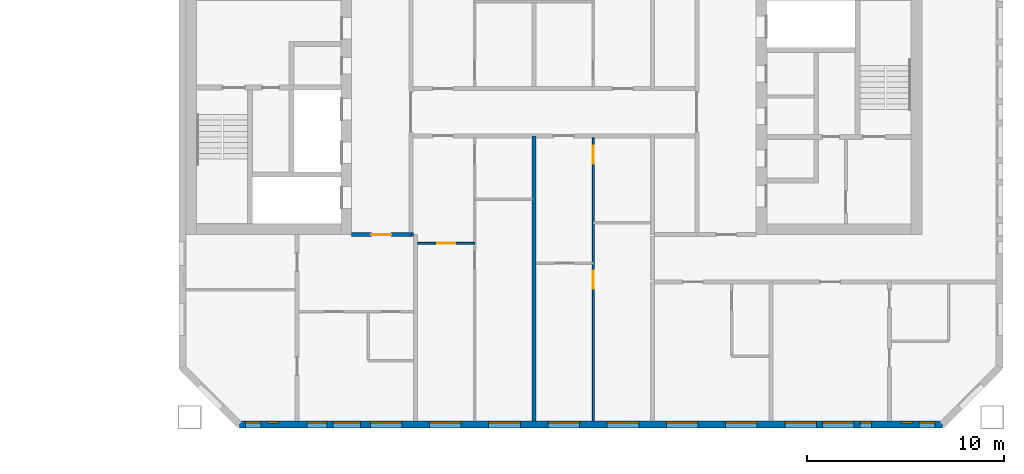
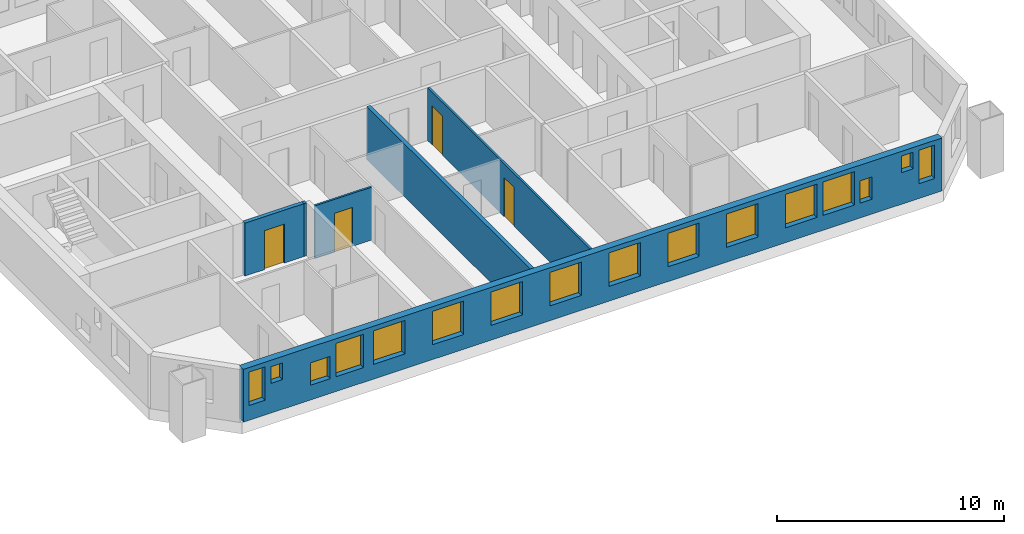
# One storey, part 10 of 17: 16 windows, 6 walls, 4 doors, 20 openings.
"""IFC4 building model written with IfcOpenShell, lengths in metres."""

from ifc_helpers import new_model, si_unit, direction, frame, frame_2d, origin, place, context, subcontext, project, spatial, rectangle, extrude, material, layer, layer_set, type_object, element, fill, save


model = new_model("IFC4")

# Units and contexts
model_context = context("Model", 3, precision=1e-05, world=origin(), true_north=direction((0.0, 1.0)))
body_context = subcontext(model_context, "Body", "Model", "MODEL_VIEW")
ifc_project = project(units=[si_unit("LENGTHUNIT", "METRE"), si_unit("AREAUNIT", "SQUARE_METRE"), si_unit("VOLUMEUNIT", "CUBIC_METRE"), si_unit("PLANEANGLEUNIT", "RADIAN"), si_unit("MASSUNIT", "GRAM", prefix="KILO")], contexts=[model_context])

# Site, building, storey
site_placement = place(None, origin())
site = spatial("IfcSite", under=ifc_project, at=site_placement, CompositionType="ELEMENT")
building_placement = place(site_placement, origin())
building = spatial("IfcBuilding", under=site, at=building_placement, Name="Tuart Gate Housing", CompositionType="ELEMENT")
storey_placement = place(building_placement, frame((0.0, 0.0, 123.699951171875)))
storey = spatial("IfcBuildingStorey", under=building, at=storey_placement, Name="L34", CompositionType="ELEMENT", Elevation=123.699951171875)

# Wall, openings, windows
ifc_material_1 = material(Name="Brick", Category="masonry")
ifc_layer_1 = layer(ifc_material_1, 0.360107421875)
ifc_layer_set_1 = layer_set([ifc_layer_1], Name="Brick pier and spandrel wall 360")
wall_type_1 = type_object("IfcWallType", Name="Brick pier and spandrel wall 360", PredefinedType="STANDARD", material=ifc_layer_set_1)
wall_1_placement = place(storey_placement, frame((134.07470703125, 54.179931640625, 0.0), z_axis=(0.0, 0.0, 1.0), x_axis=(1.0, 0.0, 0.0)))
wall_1 = element("IfcWall", 1, at=wall_1_placement, inside=storey, type_object=wall_type_1, Name="External wall B-S L34", PredefinedType="STANDARD", context=body_context, shape_type="SweptSolid", body=[
    extrude(rectangle(XDim=35.600830078125, YDim=0.360107421875, at=frame_2d((17.80029296875, 0.0))), origin(), (0.0, 0.0, 1.0), 2.85009765625),
])
opening_1_placement = place(wall_1_placement, frame((0.300048828125, 0.0, 0.800048828125)))
opening_1 = element("IfcOpeningElement", 2, at=opening_1_placement, cuts=wall_1, Name="Opening W1D", PredefinedType="OPENING", context=body_context, shape_type="SweptSolid", body=[
    extrude(rectangle(XDim=0.800048828125, YDim=1.800048828125, at=frame_2d((0.39990234375, 0.89990234375))), frame((0.0, 0.18994140625, 0.0), z_axis=(0.0, -1.0, 0.0), x_axis=(1.0, 0.0, 0.0)), (0.0, 0.0, 1.0), 0.380126953125),
])
opening_2_placement = place(wall_1_placement, frame((3.42529296875, 0.0, 0.800048828125)))
opening_2 = element("IfcOpeningElement", 3, at=opening_2_placement, cuts=wall_1, Name="Opening W1O", PredefinedType="OPENING", context=body_context, shape_type="SweptSolid", body=[
    extrude(rectangle(XDim=1.0, YDim=1.199951171875, at=frame_2d((0.5, 0.60009765625))), frame((0.0, 0.18994140625, 0.0), z_axis=(0.0, -1.0, 0.0), x_axis=(1.0, 0.0, 0.0)), (0.0, 0.0, 1.0), 0.380126953125),
])
opening_3_placement = place(wall_1_placement, frame((6.62548828125, 0.0, 0.800048828125)))
opening_3 = element("IfcOpeningElement", 4, at=opening_3_placement, cuts=wall_1, Name="Opening W1", PredefinedType="OPENING", context=body_context, shape_type="SweptSolid", body=[
    extrude(rectangle(XDim=1.60009765625, YDim=1.800048828125, at=frame_2d((0.800048828125, 0.89990234375))), frame((0.0, 0.18994140625, 0.0), z_axis=(0.0, -1.0, 0.0), x_axis=(1.0, 0.0, 0.0)), (0.0, 0.0, 1.0), 0.380126953125),
])
opening_4_placement = place(wall_1_placement, frame((9.62548828125, 0.0, 0.800048828125)))
opening_4 = element("IfcOpeningElement", 5, at=opening_4_placement, cuts=wall_1, Name="Opening W1", PredefinedType="OPENING", context=body_context, shape_type="SweptSolid", body=[
    extrude(rectangle(XDim=1.60009765625, YDim=1.800048828125, at=frame_2d((0.800048828125, 0.89990234375))), frame((0.0, 0.18994140625, 0.0), z_axis=(0.0, -1.0, 0.0), x_axis=(1.0, 0.0, 0.0)), (0.0, 0.0, 1.0), 0.380126953125),
])
opening_5_placement = place(wall_1_placement, frame((12.62548828125, 0.0, 0.800048828125)))
opening_5 = element("IfcOpeningElement", 6, at=opening_5_placement, cuts=wall_1, Name="Opening W1", PredefinedType="OPENING", context=body_context, shape_type="SweptSolid", body=[
    extrude(rectangle(XDim=1.60009765625, YDim=1.800048828125, at=frame_2d((0.800048828125, 0.89990234375))), frame((0.0, 0.18994140625, 0.0), z_axis=(0.0, -1.0, 0.0), x_axis=(1.0, 0.0, 0.0)), (0.0, 0.0, 1.0), 0.380126953125),
])
opening_6_placement = place(wall_1_placement, frame((15.62548828125, 0.0, 0.800048828125)))
opening_6 = element("IfcOpeningElement", 7, at=opening_6_placement, cuts=wall_1, Name="Opening W1", PredefinedType="OPENING", context=body_context, shape_type="SweptSolid", body=[
    extrude(rectangle(XDim=1.60009765625, YDim=1.800048828125, at=frame_2d((0.800048828125, 0.89990234375))), frame((0.0, 0.18994140625, 0.0), z_axis=(0.0, -1.0, 0.0), x_axis=(1.0, 0.0, 0.0)), (0.0, 0.0, 1.0), 0.380126953125),
])
opening_7_placement = place(wall_1_placement, frame((18.62548828125, 0.0, 0.800048828125)))
opening_7 = element("IfcOpeningElement", 8, at=opening_7_placement, cuts=wall_1, Name="Opening W1", PredefinedType="OPENING", context=body_context, shape_type="SweptSolid", body=[
    extrude(rectangle(XDim=1.60009765625, YDim=1.800048828125, at=frame_2d((0.800048828125, 0.89990234375))), frame((0.0, 0.18994140625, 0.0), z_axis=(0.0, -1.0, 0.0), x_axis=(1.0, 0.0, 0.0)), (0.0, 0.0, 1.0), 0.380126953125),
])
opening_8_placement = place(wall_1_placement, frame((21.62548828125, 0.0, 0.800048828125)))
opening_8 = element("IfcOpeningElement", 9, at=opening_8_placement, cuts=wall_1, Name="Opening W1", PredefinedType="OPENING", context=body_context, shape_type="SweptSolid", body=[
    extrude(rectangle(XDim=1.60009765625, YDim=1.800048828125, at=frame_2d((0.800048828125, 0.89990234375))), frame((0.0, 0.18994140625, 0.0), z_axis=(0.0, -1.0, 0.0), x_axis=(1.0, 0.0, 0.0)), (0.0, 0.0, 1.0), 0.380126953125),
])
opening_9_placement = place(wall_1_placement, frame((24.62548828125, 0.0, 0.800048828125)))
opening_9 = element("IfcOpeningElement", 10, at=opening_9_placement, cuts=wall_1, Name="Opening W1", PredefinedType="OPENING", context=body_context, shape_type="SweptSolid", body=[
    extrude(rectangle(XDim=1.60009765625, YDim=1.800048828125, at=frame_2d((0.800048828125, 0.89990234375))), frame((0.0, 0.18994140625, 0.0), z_axis=(0.0, -1.0, 0.0), x_axis=(1.0, 0.0, 0.0)), (0.0, 0.0, 1.0), 0.380126953125),
])
opening_10_placement = place(wall_1_placement, frame((27.62548828125, 0.0, 0.800048828125)))
opening_10 = element("IfcOpeningElement", 11, at=opening_10_placement, cuts=wall_1, Name="Opening W1", PredefinedType="OPENING", context=body_context, shape_type="SweptSolid", body=[
    extrude(rectangle(XDim=1.60009765625, YDim=1.800048828125, at=frame_2d((0.800048828125, 0.89990234375))), frame((0.0, 0.18994140625, 0.0), z_axis=(0.0, -1.0, 0.0), x_axis=(1.0, 0.0, 0.0)), (0.0, 0.0, 1.0), 0.380126953125),
])
opening_11_placement = place(wall_1_placement, frame((29.525390625, 0.0, 0.800048828125)))
opening_11 = element("IfcOpeningElement", 12, at=opening_11_placement, cuts=wall_1, Name="Opening W1", PredefinedType="OPENING", context=body_context, shape_type="SweptSolid", body=[
    extrude(rectangle(XDim=1.60009765625, YDim=1.800048828125, at=frame_2d((0.800048828125, 0.89990234375))), frame((0.0, 0.18994140625, 0.0), z_axis=(0.0, -1.0, 0.0), x_axis=(1.0, 0.0, 0.0)), (0.0, 0.0, 1.0), 0.380126953125),
])
opening_12_placement = place(wall_1_placement, frame((33.525390625, 0.0, 1.699951171875)))
opening_12 = element("IfcOpeningElement", 13, at=opening_12_placement, cuts=wall_1, Name="Opening W1W", PredefinedType="OPENING", context=body_context, shape_type="SweptSolid", body=[
    extrude(rectangle(XDim=0.60009765625, YDim=0.89990234375, at=frame_2d((0.300048828125, 0.449951171875))), frame((0.0, 0.18994140625, 0.0), z_axis=(0.0, -1.0, 0.0), x_axis=(1.0, 0.0, 0.0)), (0.0, 0.0, 1.0), 0.380126953125),
])
opening_13_placement = place(wall_1_placement, frame((1.39990234375, 0.0, 1.60009765625)))
opening_13 = element("IfcOpeningElement", 14, at=opening_13_placement, cuts=wall_1, Name="Opening W1W", PredefinedType="OPENING", context=body_context, shape_type="SweptSolid", body=[
    extrude(rectangle(XDim=0.60009765625, YDim=0.89990234375, at=frame_2d((0.300048828125, 0.449951171875))), frame((0.0, 0.18994140625, 0.0), z_axis=(0.0, -1.0, 0.0), x_axis=(1.0, 0.0, 0.0)), (0.0, 0.0, 1.0), 0.380126953125),
])
opening_14_placement = place(wall_1_placement, frame((4.725341796875, 0.0, 0.800048828125)))
opening_14 = element("IfcOpeningElement", 15, at=opening_14_placement, cuts=wall_1, Name="Opening W1A", PredefinedType="OPENING", context=body_context, shape_type="SweptSolid", body=[
    extrude(rectangle(XDim=1.39990234375, YDim=1.800048828125, at=frame_2d((0.699951171875, 0.89990234375))), frame((0.0, 0.18994140625, 0.0), z_axis=(0.0, -1.0, 0.0), x_axis=(1.0, 0.0, 0.0)), (0.0, 0.0, 1.0), 0.380126953125),
])
opening_15_placement = place(wall_1_placement, frame((31.42529296875, 0.0, 0.800048828125)))
opening_15 = element("IfcOpeningElement", 16, at=opening_15_placement, cuts=wall_1, Name="Opening W1Q", PredefinedType="OPENING", context=body_context, shape_type="SweptSolid", body=[
    extrude(rectangle(XDim=0.60009765625, YDim=1.199951171875, at=frame_2d((0.300048828125, 0.60009765625))), frame((0.0, 0.18994140625, 0.0), z_axis=(0.0, -1.0, 0.0), x_axis=(1.0, 0.0, 0.0)), (0.0, 0.0, 1.0), 0.380126953125),
])
opening_16_placement = place(wall_1_placement, frame((34.42529296875, 0.0, 0.800048828125)))
opening_16 = element("IfcOpeningElement", 17, at=opening_16_placement, cuts=wall_1, Name="Opening W1D", PredefinedType="OPENING", context=body_context, shape_type="SweptSolid", body=[
    extrude(rectangle(XDim=0.800048828125, YDim=1.800048828125, at=frame_2d((0.39990234375, 0.89990234375))), frame((0.0, 0.18994140625, 0.0), z_axis=(0.0, -1.0, 0.0), x_axis=(1.0, 0.0, 0.0)), (0.0, 0.0, 1.0), 0.380126953125),
])
ifc_material_2 = material(Name="Aluminium frame with clear glass", Category="aluminium")
window_type_1 = type_object("IfcWindowType", Name="Punched window 1000 x 1200", PartitioningType="SINGLE_PANEL", PredefinedType="WINDOW", material=ifc_material_2)
window_1_placement = place(opening_2_placement, origin())
window_1 = element("IfcWindow", 18, at=window_1_placement, inside=storey, type_object=window_type_1, Name="Window W1O", OverallHeight=1.199951171875, OverallWidth=1.0, PartitioningType="SINGLE_PANEL", PredefinedType="WINDOW", context=body_context, shape_type="SweptSolid", body=[
    extrude(rectangle(XDim=1.0, YDim=1.199951171875, at=frame_2d((0.5, 0.60009765625))), frame((0.0, 0.150146484375, 0.0), z_axis=(0.0, -1.0, 0.0), x_axis=(1.0, 0.0, 0.0)), (0.0, 0.0, 1.0), 0.06005859375),
])
fill(opening_2, window_1)
ifc_material_3 = material(Name="Aluminium frame with clear glass", Category="aluminium")
window_type_2 = type_object("IfcWindowType", Name="Punched window 1400 x 1800", PartitioningType="SINGLE_PANEL", PredefinedType="WINDOW", material=ifc_material_3)
window_2_placement = place(opening_14_placement, origin())
window_2 = element("IfcWindow", 19, at=window_2_placement, inside=storey, type_object=window_type_2, Name="Window W1A", OverallHeight=1.800048828125, OverallWidth=1.39990234375, PartitioningType="SINGLE_PANEL", PredefinedType="WINDOW", context=body_context, shape_type="SweptSolid", body=[
    extrude(rectangle(XDim=1.39990234375, YDim=1.800048828125, at=frame_2d((0.699951171875, 0.89990234375))), frame((0.0, 0.150146484375, 0.0), z_axis=(0.0, -1.0, 0.0), x_axis=(1.0, 0.0, 0.0)), (0.0, 0.0, 1.0), 0.06005859375),
])
fill(opening_14, window_2)
ifc_material_4 = material(Name="Aluminium frame with clear glass", Category="aluminium")
window_type_3 = type_object("IfcWindowType", Name="Punched window 1600 x 1800", PartitioningType="SINGLE_PANEL", PredefinedType="WINDOW", material=ifc_material_4)
window_3_placement = place(opening_3_placement, origin())
window_3 = element("IfcWindow", 20, at=window_3_placement, inside=storey, type_object=window_type_3, Name="Window W1", OverallHeight=1.800048828125, OverallWidth=1.60009765625, PartitioningType="SINGLE_PANEL", PredefinedType="WINDOW", context=body_context, shape_type="SweptSolid", body=[
    extrude(rectangle(XDim=1.60009765625, YDim=1.800048828125, at=frame_2d((0.800048828125, 0.89990234375))), frame((0.0, 0.150146484375, 0.0), z_axis=(0.0, -1.0, 0.0), x_axis=(1.0, 0.0, 0.0)), (0.0, 0.0, 1.0), 0.06005859375),
])
fill(opening_3, window_3)
window_4_placement = place(opening_4_placement, origin())
window_4 = element("IfcWindow", 21, at=window_4_placement, inside=storey, type_object=window_type_3, Name="Window W1", OverallHeight=1.800048828125, OverallWidth=1.60009765625, PartitioningType="SINGLE_PANEL", PredefinedType="WINDOW", context=body_context, shape_type="SweptSolid", body=[
    extrude(rectangle(XDim=1.60009765625, YDim=1.800048828125, at=frame_2d((0.800048828125, 0.89990234375))), frame((0.0, 0.150146484375, 0.0), z_axis=(0.0, -1.0, 0.0), x_axis=(1.0, 0.0, 0.0)), (0.0, 0.0, 1.0), 0.06005859375),
])
fill(opening_4, window_4)
window_5_placement = place(opening_5_placement, origin())
window_5 = element("IfcWindow", 22, at=window_5_placement, inside=storey, type_object=window_type_3, Name="Window W1", OverallHeight=1.800048828125, OverallWidth=1.60009765625, PartitioningType="SINGLE_PANEL", PredefinedType="WINDOW", context=body_context, shape_type="SweptSolid", body=[
    extrude(rectangle(XDim=1.60009765625, YDim=1.800048828125, at=frame_2d((0.800048828125, 0.89990234375))), frame((0.0, 0.150146484375, 0.0), z_axis=(0.0, -1.0, 0.0), x_axis=(1.0, 0.0, 0.0)), (0.0, 0.0, 1.0), 0.06005859375),
])
fill(opening_5, window_5)
window_6_placement = place(opening_6_placement, origin())
window_6 = element("IfcWindow", 23, at=window_6_placement, inside=storey, type_object=window_type_3, Name="Window W1", OverallHeight=1.800048828125, OverallWidth=1.60009765625, PartitioningType="SINGLE_PANEL", PredefinedType="WINDOW", context=body_context, shape_type="SweptSolid", body=[
    extrude(rectangle(XDim=1.60009765625, YDim=1.800048828125, at=frame_2d((0.800048828125, 0.89990234375))), frame((0.0, 0.150146484375, 0.0), z_axis=(0.0, -1.0, 0.0), x_axis=(1.0, 0.0, 0.0)), (0.0, 0.0, 1.0), 0.06005859375),
])
fill(opening_6, window_6)
window_7_placement = place(opening_7_placement, origin())
window_7 = element("IfcWindow", 24, at=window_7_placement, inside=storey, type_object=window_type_3, Name="Window W1", OverallHeight=1.800048828125, OverallWidth=1.60009765625, PartitioningType="SINGLE_PANEL", PredefinedType="WINDOW", context=body_context, shape_type="SweptSolid", body=[
    extrude(rectangle(XDim=1.60009765625, YDim=1.800048828125, at=frame_2d((0.800048828125, 0.89990234375))), frame((0.0, 0.150146484375, 0.0), z_axis=(0.0, -1.0, 0.0), x_axis=(1.0, 0.0, 0.0)), (0.0, 0.0, 1.0), 0.06005859375),
])
fill(opening_7, window_7)
window_8_placement = place(opening_8_placement, origin())
window_8 = element("IfcWindow", 25, at=window_8_placement, inside=storey, type_object=window_type_3, Name="Window W1", OverallHeight=1.800048828125, OverallWidth=1.60009765625, PartitioningType="SINGLE_PANEL", PredefinedType="WINDOW", context=body_context, shape_type="SweptSolid", body=[
    extrude(rectangle(XDim=1.60009765625, YDim=1.800048828125, at=frame_2d((0.800048828125, 0.89990234375))), frame((0.0, 0.150146484375, 0.0), z_axis=(0.0, -1.0, 0.0), x_axis=(1.0, 0.0, 0.0)), (0.0, 0.0, 1.0), 0.06005859375),
])
fill(opening_8, window_8)
window_9_placement = place(opening_9_placement, origin())
window_9 = element("IfcWindow", 26, at=window_9_placement, inside=storey, type_object=window_type_3, Name="Window W1", OverallHeight=1.800048828125, OverallWidth=1.60009765625, PartitioningType="SINGLE_PANEL", PredefinedType="WINDOW", context=body_context, shape_type="SweptSolid", body=[
    extrude(rectangle(XDim=1.60009765625, YDim=1.800048828125, at=frame_2d((0.800048828125, 0.89990234375))), frame((0.0, 0.150146484375, 0.0), z_axis=(0.0, -1.0, 0.0), x_axis=(1.0, 0.0, 0.0)), (0.0, 0.0, 1.0), 0.06005859375),
])
fill(opening_9, window_9)
window_10_placement = place(opening_10_placement, origin())
window_10 = element("IfcWindow", 27, at=window_10_placement, inside=storey, type_object=window_type_3, Name="Window W1", OverallHeight=1.800048828125, OverallWidth=1.60009765625, PartitioningType="SINGLE_PANEL", PredefinedType="WINDOW", context=body_context, shape_type="SweptSolid", body=[
    extrude(rectangle(XDim=1.60009765625, YDim=1.800048828125, at=frame_2d((0.800048828125, 0.89990234375))), frame((0.0, 0.150146484375, 0.0), z_axis=(0.0, -1.0, 0.0), x_axis=(1.0, 0.0, 0.0)), (0.0, 0.0, 1.0), 0.06005859375),
])
fill(opening_10, window_10)
window_11_placement = place(opening_11_placement, origin())
window_11 = element("IfcWindow", 28, at=window_11_placement, inside=storey, type_object=window_type_3, Name="Window W1", OverallHeight=1.800048828125, OverallWidth=1.60009765625, PartitioningType="SINGLE_PANEL", PredefinedType="WINDOW", context=body_context, shape_type="SweptSolid", body=[
    extrude(rectangle(XDim=1.60009765625, YDim=1.800048828125, at=frame_2d((0.800048828125, 0.89990234375))), frame((0.0, 0.150146484375, 0.0), z_axis=(0.0, -1.0, 0.0), x_axis=(1.0, 0.0, 0.0)), (0.0, 0.0, 1.0), 0.06005859375),
])
fill(opening_11, window_11)
ifc_material_5 = material(Name="Aluminium frame with clear glass", Category="aluminium")
window_type_4 = type_object("IfcWindowType", Name="Punched window 600 x 1200", PartitioningType="SINGLE_PANEL", PredefinedType="WINDOW", material=ifc_material_5)
window_12_placement = place(opening_15_placement, origin())
window_12 = element("IfcWindow", 29, at=window_12_placement, inside=storey, type_object=window_type_4, Name="Window W1Q", OverallHeight=1.199951171875, OverallWidth=0.60009765625, PartitioningType="SINGLE_PANEL", PredefinedType="WINDOW", context=body_context, shape_type="SweptSolid", body=[
    extrude(rectangle(XDim=0.60009765625, YDim=1.199951171875, at=frame_2d((0.300048828125, 0.60009765625))), frame((0.0, 0.150146484375, 0.0), z_axis=(0.0, -1.0, 0.0), x_axis=(1.0, 0.0, 0.0)), (0.0, 0.0, 1.0), 0.06005859375),
])
fill(opening_15, window_12)
ifc_material_6 = material(Name="Aluminium frame with clear glass", Category="aluminium")
window_type_5 = type_object("IfcWindowType", Name="Punched window 600 x 900", PartitioningType="SINGLE_PANEL", PredefinedType="WINDOW", material=ifc_material_6)
window_13_placement = place(opening_12_placement, origin())
window_13 = element("IfcWindow", 30, at=window_13_placement, inside=storey, type_object=window_type_5, Name="Window W1W", OverallHeight=0.89990234375, OverallWidth=0.60009765625, PartitioningType="SINGLE_PANEL", PredefinedType="WINDOW", context=body_context, shape_type="SweptSolid", body=[
    extrude(rectangle(XDim=0.60009765625, YDim=0.89990234375, at=frame_2d((0.300048828125, 0.449951171875))), frame((0.0, 0.150146484375, 0.0), z_axis=(0.0, -1.0, 0.0), x_axis=(1.0, 0.0, 0.0)), (0.0, 0.0, 1.0), 0.06005859375),
])
fill(opening_12, window_13)
window_14_placement = place(opening_13_placement, origin())
window_14 = element("IfcWindow", 31, at=window_14_placement, inside=storey, type_object=window_type_5, Name="Window W1W", OverallHeight=0.89990234375, OverallWidth=0.60009765625, PartitioningType="SINGLE_PANEL", PredefinedType="WINDOW", context=body_context, shape_type="SweptSolid", body=[
    extrude(rectangle(XDim=0.60009765625, YDim=0.89990234375, at=frame_2d((0.300048828125, 0.449951171875))), frame((0.0, 0.150146484375, 0.0), z_axis=(0.0, -1.0, 0.0), x_axis=(1.0, 0.0, 0.0)), (0.0, 0.0, 1.0), 0.06005859375),
])
fill(opening_13, window_14)
ifc_material_7 = material(Name="Aluminium frame with clear glass", Category="aluminium")
window_type_6 = type_object("IfcWindowType", Name="Punched window 800 x 1800", PartitioningType="SINGLE_PANEL", PredefinedType="WINDOW", material=ifc_material_7)
window_15_placement = place(opening_1_placement, origin())
window_15 = element("IfcWindow", 32, at=window_15_placement, inside=storey, type_object=window_type_6, Name="Window W1D", OverallHeight=1.800048828125, OverallWidth=0.800048828125, PartitioningType="SINGLE_PANEL", PredefinedType="WINDOW", context=body_context, shape_type="SweptSolid", body=[
    extrude(rectangle(XDim=0.800048828125, YDim=1.800048828125, at=frame_2d((0.39990234375, 0.89990234375))), frame((0.0, 0.150146484375, 0.0), z_axis=(0.0, -1.0, 0.0), x_axis=(1.0, 0.0, 0.0)), (0.0, 0.0, 1.0), 0.06005859375),
])
fill(opening_1, window_15)
window_16_placement = place(opening_16_placement, origin())
window_16 = element("IfcWindow", 33, at=window_16_placement, inside=storey, type_object=window_type_6, Name="Window W1D", OverallHeight=1.800048828125, OverallWidth=0.800048828125, PartitioningType="SINGLE_PANEL", PredefinedType="WINDOW", context=body_context, shape_type="SweptSolid", body=[
    extrude(rectangle(XDim=0.800048828125, YDim=1.800048828125, at=frame_2d((0.39990234375, 0.89990234375))), frame((0.0, 0.150146484375, 0.0), z_axis=(0.0, -1.0, 0.0), x_axis=(1.0, 0.0, 0.0)), (0.0, 0.0, 1.0), 0.06005859375),
])
fill(opening_16, window_16)

# Wall, opening, door
ifc_material_8 = material(Name="Concrete masonry 15 MPa", Category="masonry")
ifc_layer_2 = layer(ifc_material_8, 0.199951171875)
ifc_layer_set_2 = layer_set([ifc_layer_2], Name="Enclosure wall masonry 200")
wall_type_2 = type_object("IfcWallType", Name="Enclosure wall masonry 200", PredefinedType="PARTITIONING", material=ifc_layer_set_2)
wall_2_placement = place(storey_placement, frame((139.760009765625, 63.800048828125, 0.0), z_axis=(0.0, 0.0, 1.0), x_axis=(1.0, 0.0, 0.0)))
wall_2 = element("IfcWall", 34, at=wall_2_placement, inside=storey, type_object=wall_type_2, Name="Enclosure wall masonry 200", PredefinedType="PARTITIONING", context=body_context, shape_type="SweptSolid", body=[
    extrude(rectangle(XDim=3.0, YDim=0.199951171875, at=frame_2d((1.5, 0.0))), origin(), (0.0, 0.0, 1.0), 2.85009765625),
])
opening_17_placement = place(wall_2_placement, frame((1.0, 0.0, 0.0)))
opening_17 = element("IfcOpeningElement", 35, at=opening_17_placement, cuts=wall_2, Name="Opening D1385", PredefinedType="OPENING", context=body_context, shape_type="SweptSolid", body=[
    extrude(rectangle(XDim=1.0, YDim=2.10009765625, at=frame_2d((0.5, 1.050048828125))), frame((0.0, 0.10986328125, 0.0), z_axis=(0.0, -1.0, 0.0), x_axis=(1.0, 0.0, 0.0)), (0.0, 0.0, 1.0), 0.219970703125),
])
ifc_material_9 = material(Name="Timber door leaf in steel frame", Category="steel")
door_type_1 = type_object("IfcDoorType", Name="Flat entrance door 1000", OperationType="SINGLE_SWING_LEFT", PredefinedType="DOOR", material=ifc_material_9)
door_1_placement = place(opening_17_placement, frame((1.0, 0.0, 0.0), z_axis=(0.0, 0.0, 1.0), x_axis=(-1.0, 0.0, 0.0)))
door_1 = element("IfcDoor", 36, at=door_1_placement, inside=storey, type_object=door_type_1, Name="Flat entrance door", OperationType="SINGLE_SWING_LEFT", OverallHeight=2.10009765625, OverallWidth=1.0, PredefinedType="DOOR", context=body_context, shape_type="SweptSolid", body=[
    extrude(rectangle(XDim=1.0, YDim=2.10009765625, at=frame_2d((0.5, 1.050048828125))), frame((0.0, 0.025146484375, 0.0), z_axis=(0.0, -1.0, 0.0), x_axis=(1.0, 0.0, 0.0)), (0.0, 0.0, 1.0), 0.050048828125),
])
fill(opening_17, door_1)

ifc_material_10 = material(Name="Gypsum board on steel studs", Category="steel")
ifc_layer_3 = layer(ifc_material_10, 0.10009765625)
ifc_layer_set_3 = layer_set([ifc_layer_3], Name="Partition 100")
wall_type_3 = type_object("IfcWallType", Name="Partition 100", PredefinedType="PARTITIONING", material=ifc_layer_set_3)
wall_3_placement = place(storey_placement, frame((143.10009765625, 63.360107421875, 0.0), z_axis=(0.0, 0.0, 1.0), x_axis=(1.0, 0.0, 0.0)))
wall_3 = element("IfcWall", 37, at=wall_3_placement, inside=storey, type_object=wall_type_3, Name="Partition 100", PredefinedType="PARTITIONING", context=body_context, shape_type="SweptSolid", body=[
    extrude(rectangle(XDim=2.89990234375, YDim=0.10009765625, at=frame_2d((1.449951171875, 0.0))), origin(), (0.0, 0.0, 1.0), 2.85009765625),
])
opening_18_placement = place(wall_3_placement, frame((1.0, 0.0, 0.0)))
opening_18 = element("IfcOpeningElement", 38, at=opening_18_placement, cuts=wall_3, Name="Opening D1387", PredefinedType="OPENING", context=body_context, shape_type="SweptSolid", body=[
    extrude(rectangle(XDim=0.89990234375, YDim=2.10009765625, at=frame_2d((0.449951171875, 1.050048828125))), frame((0.0, 0.06005859375, 0.0), z_axis=(0.0, -1.0, 0.0), x_axis=(1.0, 0.0, 0.0)), (0.0, 0.0, 1.0), 0.1201171875),
])
ifc_material_11 = material(Name="Timber door leaf in steel frame", Category="steel")
door_type_2 = type_object("IfcDoorType", Name="Internal door 900 RH", OperationType="SINGLE_SWING_RIGHT", PredefinedType="DOOR", material=ifc_material_11)
door_2_placement = place(opening_18_placement, origin())
door_2 = element("IfcDoor", 39, at=door_2_placement, inside=storey, type_object=door_type_2, Name="Internal door", OperationType="SINGLE_SWING_RIGHT", OverallHeight=2.10009765625, OverallWidth=0.89990234375, PredefinedType="DOOR", context=body_context, shape_type="SweptSolid", body=[
    extrude(rectangle(XDim=0.89990234375, YDim=2.10009765625, at=frame_2d((0.449951171875, 1.050048828125))), frame((0.0, 0.02490234375, 0.0), z_axis=(0.0, -1.0, 0.0), x_axis=(1.0, 0.0, 0.0)), (0.0, 0.0, 1.0), 0.050048828125),
])
fill(opening_18, door_2)

# Wall, openings, doors
wall_4_placement = place(storey_placement, frame((152.0, 54.360107421875, 0.0), z_axis=(0.0, 0.0, 1.0), x_axis=(0.0, 1.0, 0.0)))
wall_4 = element("IfcWall", 40, at=wall_4_placement, inside=storey, type_object=wall_type_3, Name="Partition 100", PredefinedType="PARTITIONING", context=body_context, shape_type="SweptSolid", body=[
    extrude(rectangle(XDim=14.33984375, YDim=0.10009765625, at=frame_2d((7.169921875, 0.0))), origin(), (0.0, 0.0, 1.0), 2.85009765625),
])
opening_19_placement = place(wall_4_placement, frame((6.699951171875, 0.0, 0.0)))
opening_19 = element("IfcOpeningElement", 41, at=opening_19_placement, cuts=wall_4, Name="Opening D1392", PredefinedType="OPENING", context=body_context, shape_type="SweptSolid", body=[
    extrude(rectangle(XDim=0.89990234375, YDim=2.10009765625, at=frame_2d((0.449951171875, 1.050048828125))), frame((0.0, 0.06005859375, 0.0), z_axis=(0.0, -1.0, 0.0), x_axis=(1.0, 0.0, 0.0)), (0.0, 0.0, 1.0), 0.1201171875),
])
opening_20_placement = place(wall_4_placement, frame((13.0400390625, 0.0, 0.0)))
opening_20 = element("IfcOpeningElement", 42, at=opening_20_placement, cuts=wall_4, Name="Opening D1391", PredefinedType="OPENING", context=body_context, shape_type="SweptSolid", body=[
    extrude(rectangle(XDim=0.89990234375, YDim=2.10009765625, at=frame_2d((0.449951171875, 1.050048828125))), frame((0.0, 0.06005859375, 0.0), z_axis=(0.0, -1.0, 0.0), x_axis=(1.0, 0.0, 0.0)), (0.0, 0.0, 1.0), 0.1201171875),
])
ifc_material_12 = material(Name="Timber door leaf in steel frame", Category="steel")
door_type_3 = type_object("IfcDoorType", Name="Bathroom door 900", OperationType="SINGLE_SWING_LEFT", PredefinedType="DOOR", material=ifc_material_12)
door_3_placement = place(opening_20_placement, frame((0.89990234375, 0.0, 0.0), z_axis=(0.0, 0.0, 1.0), x_axis=(-1.0, 0.0, 0.0)))
door_3 = element("IfcDoor", 43, at=door_3_placement, inside=storey, type_object=door_type_3, Name="Bathroom door", OperationType="SINGLE_SWING_LEFT", OverallHeight=2.10009765625, OverallWidth=0.89990234375, PredefinedType="DOOR", context=body_context, shape_type="SweptSolid", body=[
    extrude(rectangle(XDim=0.89990234375, YDim=2.10009765625, at=frame_2d((0.449951171875, 1.050048828125))), frame((0.0, 0.025146484375, 0.0), z_axis=(0.0, -1.0, 0.0), x_axis=(1.0, 0.0, 0.0)), (0.0, 0.0, 1.0), 0.050048828125),
])
fill(opening_20, door_3)
ifc_material_13 = material(Name="Timber door leaf in steel frame", Category="steel")
door_type_4 = type_object("IfcDoorType", Name="Internal door 900", OperationType="SINGLE_SWING_LEFT", PredefinedType="DOOR", material=ifc_material_13)
door_4_placement = place(opening_19_placement, frame((0.89990234375, 0.0, 0.0), z_axis=(0.0, 0.0, 1.0), x_axis=(-1.0, 0.0, 0.0)))
door_4 = element("IfcDoor", 44, at=door_4_placement, inside=storey, type_object=door_type_4, Name="Internal door", OperationType="SINGLE_SWING_LEFT", OverallHeight=2.10009765625, OverallWidth=0.89990234375, PredefinedType="DOOR", context=body_context, shape_type="SweptSolid", body=[
    extrude(rectangle(XDim=0.89990234375, YDim=2.10009765625, at=frame_2d((0.449951171875, 1.050048828125))), frame((0.0, 0.025146484375, 0.0), z_axis=(0.0, -1.0, 0.0), x_axis=(1.0, 0.0, 0.0)), (0.0, 0.0, 1.0), 0.050048828125),
])
fill(opening_19, door_4)

# Walls
ifc_material_14 = material(Name="Concrete C40", Category="concrete")
ifc_layer_4 = layer(ifc_material_14, 0.199951171875)
ifc_layer_set_4 = layer_set([ifc_layer_4], Name="Party wall concrete C40 200")
wall_type_4 = type_object("IfcWallType", Name="Party wall concrete C40 200", PredefinedType="SOLIDWALL", material=ifc_layer_set_4)
wall_5_placement = place(storey_placement, frame((149.0, 54.360107421875, 0.0), z_axis=(0.0, 0.0, 1.0), x_axis=(0.0, 1.0, 0.0)))
element("IfcWall", 45, at=wall_5_placement, inside=storey, type_object=wall_type_4, Name="Party wall concrete C40 200", PredefinedType="SOLIDWALL", context=body_context, shape_type="SweptSolid", body=[
    extrude(rectangle(XDim=14.43994140625, YDim=0.199951171875, at=frame_2d((7.219970703125, 0.0))), origin(), (0.0, 0.0, 1.0), 2.85009765625),
])
ifc_material_15 = material(Name="Concrete masonry 15 MPa", Category="masonry")
ifc_layer_5 = layer(ifc_material_15, 0.199951171875)
ifc_layer_set_5 = layer_set([ifc_layer_5], Name="Party wall masonry 200")
wall_type_5 = type_object("IfcWallType", Name="Party wall masonry 200", PredefinedType="PARTITIONING", material=ifc_layer_set_5)
wall_6_placement = place(storey_placement, frame((142.760009765625, 63.800048828125, 0.0), z_axis=(0.0, 0.0, 1.0), x_axis=(1.0, 0.0, 0.0)))
element("IfcWall", 46, at=wall_6_placement, inside=storey, type_object=wall_type_5, Name="Party wall masonry 200", PredefinedType="PARTITIONING", context=body_context, shape_type="SweptSolid", body=[
    extrude(rectangle(XDim=0.139892578125, YDim=0.199951171875, at=frame_2d((0.06982421875, 0.0))), origin(), (0.0, 0.0, 1.0), 2.85009765625),
])

save(model, "model.ifc")
